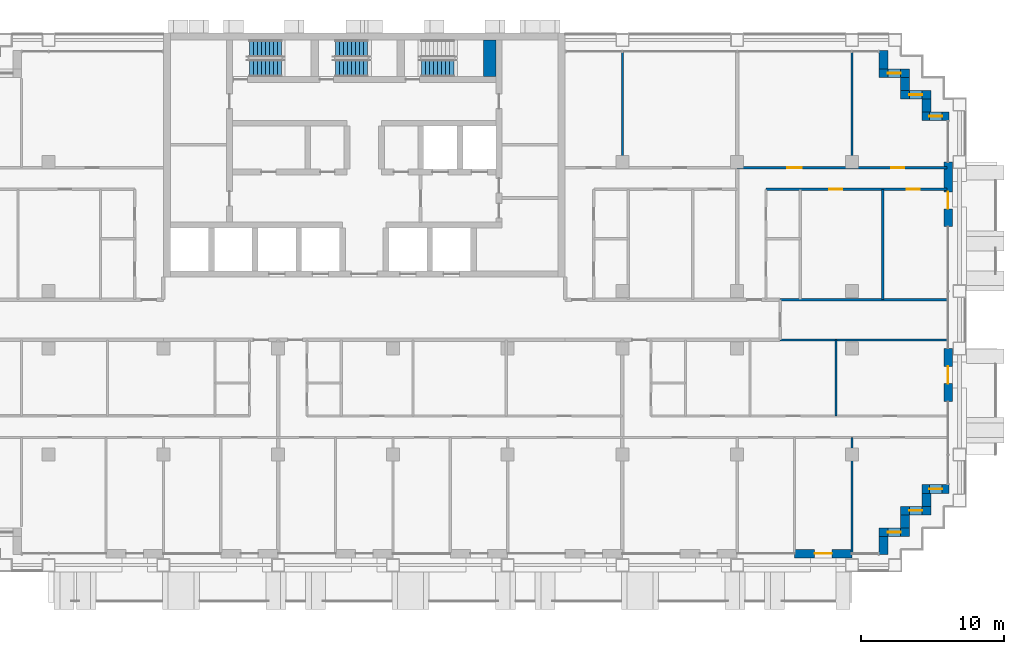
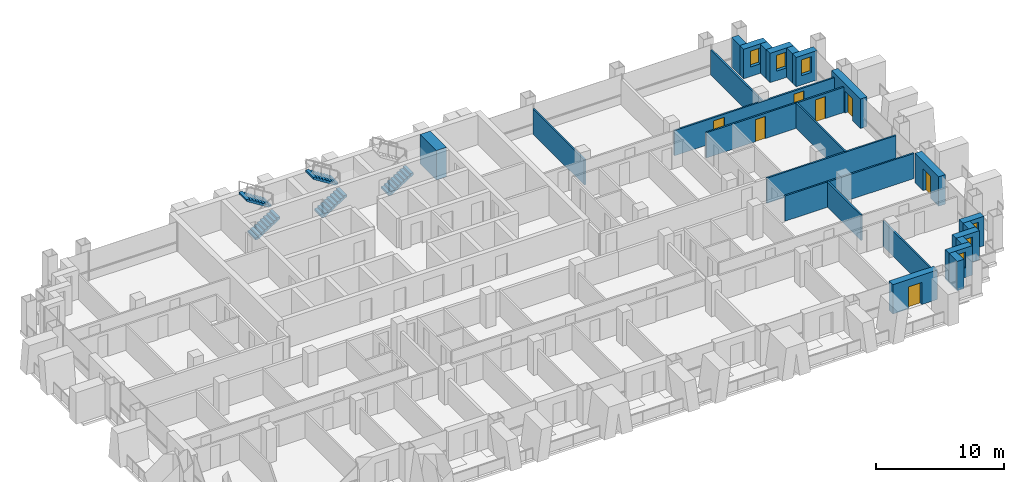
# One storey, part 13 of 18: 25 walls, 7 doors, 6 windows, 5 stair flights, 13 openings, 3 elements without a shape of their own.
"""IFC4 building model written with IfcOpenShell, lengths in metres."""

import ifcopenshell
import ifcopenshell.guid

model = None  # the IFC model being written
_history = None  # IfcOwnerHistory: only IFC2X3 demands one
_inside = {}  # id of a spatial element -> (the spatial element, [elements in it])
_under = {}  # id of a project, library or spatial element -> (it, [spatial elements below it])
_declared = {}  # id of a project -> (the project, [libraries it declares])
_typed = {}  # id of a type object -> (the type object, [elements of that type])
_made_of = {}  # id of a material, layer set ... -> (it, [elements and type objects made of it])


def new_model(schema):
    """Start an empty IFC model of exactly this schema.

    Asked for "IFC4X3", IfcOpenShell would pick the latest addendum, in which some entities
    have other attributes; the version numbers below select the first issue.
    IFC2X3 requires an IfcOwnerHistory on every rooted entity: one is made here for all.
    """
    global model, _history
    if schema == "IFC4X3":
        model = ifcopenshell.file(schema_version=(4, 3, 0, 0))
    else:
        model = ifcopenshell.file(schema=schema)
    _inside.clear()
    _under.clear()
    _declared.clear()
    _typed.clear()
    _made_of.clear()
    _history = None
    if model.schema == "IFC2X3":
        org = make("IfcOrganization", Name="unknown")
        user = make(
            "IfcPersonAndOrganization",
            ThePerson=make("IfcPerson", FamilyName="unknown"),
            TheOrganization=org,
        )
        app = make(
            "IfcApplication",
            ApplicationDeveloper=org,
            Version="unknown",
            ApplicationFullName="unknown",
            ApplicationIdentifier="unknown",
        )
        _history = make(
            "IfcOwnerHistory",
            OwningUser=user,
            OwningApplication=app,
            ChangeAction="ADDED",
            CreationDate=0,
        )
    return model


def make(cls, **values):
    """One entity of the class cls with the attributes given. An attribute that is None is left unset."""
    return model.create_entity(
        cls, **{name: value for name, value in values.items() if value is not None}
    )


def rooted(cls, **values):
    """An entity with a GlobalId (a new one), such as an element, a storey or a relation."""
    return make(cls, GlobalId=ifcopenshell.guid.new(), OwnerHistory=_history, **values)


def si_unit(unit_type, name, prefix=None):
    """IfcSIUnit, for example si_unit("LENGTHUNIT", "METRE", prefix="MILLI")."""
    return make("IfcSIUnit", UnitType=unit_type, Prefix=prefix, Name=name)


def assignment(units):
    """IfcUnitAssignment: the units of a project."""
    return None if units is None else make("IfcUnitAssignment", Units=units)


def point(xyz):
    """IfcCartesianPoint."""
    return None if xyz is None else make("IfcCartesianPoint", Coordinates=xyz)


def direction(xyz):
    """IfcDirection."""
    return None if xyz is None else make("IfcDirection", DirectionRatios=xyz)


def frame(location, z_axis=None, x_axis=None):
    """IfcAxis2Placement3D, a coordinate frame: its origin and axes. An axis left out is left unset."""
    return make(
        "IfcAxis2Placement3D",
        Location=point(location),
        Axis=direction(z_axis),
        RefDirection=direction(x_axis),
    )


def frame_2d(location, x_axis=None):
    """IfcAxis2Placement2D, a coordinate frame in the plane: its origin and x axis."""
    return make(
        "IfcAxis2Placement2D", Location=point(location), RefDirection=direction(x_axis)
    )


def origin():
    """The frame at (0, 0, 0) with its axes left unset."""
    return frame((0.0, 0.0, 0.0))


def place(relative_to, where):
    """IfcLocalPlacement: puts the frame where relative to a parent placement (None: the world)."""
    return make(
        "IfcLocalPlacement", PlacementRelTo=relative_to, RelativePlacement=where
    )


def context(
    kind, dimensions, precision=None, world=None, true_north=None, identifier=None
):
    """IfcGeometricRepresentationContext, for example the 3D "Model" context."""
    return make(
        "IfcGeometricRepresentationContext",
        ContextIdentifier=identifier,
        ContextType=kind,
        CoordinateSpaceDimension=dimensions,
        Precision=precision,
        WorldCoordinateSystem=world,
        TrueNorth=true_north,
    )


def subcontext(parent, identifier, kind, view, scale=None):
    """IfcGeometricRepresentationSubContext, for example "Body" below "Model"."""
    return make(
        "IfcGeometricRepresentationSubContext",
        ContextIdentifier=identifier,
        ContextType=kind,
        ParentContext=parent,
        TargetScale=scale,
        TargetView=view,
    )


def project(units=None, contexts=None):
    """IfcProject with its units and contexts."""
    return rooted(
        "IfcProject",
        Name="project",
        RepresentationContexts=contexts,
        UnitsInContext=assignment(units),
    )


def spatial(cls, under=None, at=None, **own):
    """A site, building, storey or space (cls), placed at a placement, below another one or the project."""
    s = rooted(cls, ObjectPlacement=at, **own)
    if under is not None:
        _under.setdefault(under.id(), (under, []))[1].append(s)
    return s


def polyline(points):
    """IfcPolyline through the points."""
    return make("IfcPolyline", Points=[point(p) for p in points])


def profile(cls, at=None, kind="AREA", **sizes):
    """A parametric profile (cls). Its sizes go by their IFC names, for example OverallWidth=200.0."""
    return make(cls, ProfileType=kind, Position=at, **sizes)


def rectangle(**sizes):
    """IfcRectangleProfileDef."""
    return profile("IfcRectangleProfileDef", **sizes)


def outline(outer, holes=None, kind="AREA"):
    """IfcArbitraryClosedProfileDef: a profile drawn as a closed curve; with holes, ...WithVoids."""
    if holes is None:
        return make("IfcArbitraryClosedProfileDef", ProfileType=kind, OuterCurve=outer)
    return make(
        "IfcArbitraryProfileDefWithVoids",
        ProfileType=kind,
        OuterCurve=outer,
        InnerCurves=holes,
    )


def extrude(swept, where, along, depth):
    """IfcExtrudedAreaSolid: the profile swept, set in the frame where, extruded along a direction by depth."""
    return make(
        "IfcExtrudedAreaSolid",
        SweptArea=swept,
        Position=where,
        ExtrudedDirection=direction(along),
        Depth=depth,
    )


def shape(context_of_items, identifier, shape_type, items):
    """IfcShapeRepresentation: the items that make up one representation, for example the "Body"."""
    return make(
        "IfcShapeRepresentation",
        ContextOfItems=context_of_items,
        RepresentationIdentifier=identifier,
        RepresentationType=shape_type,
        Items=items,
    )


def material(Name=None, Category=None):
    """IfcMaterial."""
    return make("IfcMaterial", Name=Name, Category=Category)


def layer(
    of_material, thickness, ventilated=None, Name=None, Category=None, Priority=None
):
    """IfcMaterialLayer: one layer of a wall or slab, of a material (None: an air gap)."""
    return make(
        "IfcMaterialLayer",
        Material=of_material,
        LayerThickness=thickness,
        IsVentilated=ventilated,
        Name=Name,
        Category=Category,
        Priority=Priority,
    )


def layer_set(layers, Name=None):
    """IfcMaterialLayerSet."""
    return make("IfcMaterialLayerSet", MaterialLayers=layers, LayerSetName=Name)


def made_of(thing, what):
    """Note that an element or type object is made of a material, layer set ...; save() writes the relation."""
    if what is not None:
        _made_of.setdefault(what.id(), (what, []))[1].append(thing)
    return thing


def type_object(cls, material=None, **own):
    """A type object (cls), such as IfcWallType, which elements share."""
    return made_of(rooted(cls, **own), material)


def element(
    cls,
    number,
    at=None,
    inside=None,
    cuts=None,
    type_object=None,
    material=None,
    context=None,
    identifier="Body",
    shape_type=None,
    held_by="IfcProductDefinitionShape",
    body=None,
    shapes=None,
    **own,
):
    """One element of the class cls, such as IfcWall. Its Tag is "e" and its number.

    at: its placement. inside: the storey or other place that contains it. cuts: it is an
    opening in that element (IfcRelVoidsElement). A single representation is given by context,
    identifier, shape_type and body (its items); several are given by shapes. held_by: the class
    of the entity that holds the representations. save() writes the other relations.
    """
    e = rooted(cls, Tag="e%d" % number, ObjectPlacement=at, **own)
    if body is not None:
        shapes = [shape(context, identifier, shape_type, body)]
    if shapes is not None:
        e.Representation = make(held_by, Representations=shapes)
    if inside is not None:
        _inside.setdefault(inside.id(), (inside, []))[1].append(e)
    if cuts is not None:
        rooted(
            "IfcRelVoidsElement", RelatingBuildingElement=cuts, RelatedOpeningElement=e
        )
    if type_object is not None:
        _typed.setdefault(type_object.id(), (type_object, []))[1].append(e)
    return made_of(e, material)


def fill(opening, filler):
    """IfcRelFillsElement: the door or window that sits in an opening."""
    return rooted(
        "IfcRelFillsElement",
        RelatingOpeningElement=opening,
        RelatedBuildingElement=filler,
    )


def aggregate(whole, parts):
    """IfcRelAggregates: a whole, such as a stair, and the parts it consists of."""
    return rooted("IfcRelAggregates", RelatingObject=whole, RelatedObjects=parts)


def save(model, path):
    """Write the relations noted so far, then the file.

    IfcRelAggregates (storeys below a building ...), IfcRelContainedInSpatialStructure (elements
    in a storey), IfcRelDefinesByType, IfcRelAssociatesMaterial and IfcRelDeclares: one each for
    every whole, place, type object, material and project.
    """
    for whole, parts in _under.values():
        aggregate(whole, parts)
    for where, things in _inside.values():
        rooted(
            "IfcRelContainedInSpatialStructure",
            RelatedElements=things,
            RelatingStructure=where,
        )
    for kind, things in _typed.values():
        rooted("IfcRelDefinesByType", RelatedObjects=things, RelatingType=kind)
    for what, things in _made_of.values():
        rooted("IfcRelAssociatesMaterial", RelatedObjects=things, RelatingMaterial=what)
    for by, libraries in _declared.values():
        rooted("IfcRelDeclares", RelatingContext=by, RelatedDefinitions=libraries)
    model.write(path)


model = new_model("IFC4")

# Units and contexts
model_context = context("Model", 3, precision=1e-05, world=origin(), true_north=direction((0.0, 1.0)))
body_context = subcontext(model_context, "Body", "Model", "MODEL_VIEW")
ifc_project = project(units=[si_unit("LENGTHUNIT", "METRE"), si_unit("AREAUNIT", "SQUARE_METRE"), si_unit("VOLUMEUNIT", "CUBIC_METRE"), si_unit("PLANEANGLEUNIT", "RADIAN"), si_unit("MASSUNIT", "GRAM", prefix="KILO")], contexts=[model_context])

# Site, building, storey
site_placement = place(None, origin())
site = spatial("IfcSite", under=ifc_project, at=site_placement, CompositionType="ELEMENT")
building_placement = place(site_placement, origin())
building = spatial("IfcBuilding", under=site, at=building_placement, Name="Vidyagriha Tower", CompositionType="ELEMENT")
storey_placement = place(building_placement, frame((0.0, 0.0, 103.10009765625)))
storey = spatial("IfcBuildingStorey", under=building, at=storey_placement, Name="L27", CompositionType="ELEMENT", Elevation=103.10009765625)

# Wall, opening, window
ifc_material_1 = material(Name="Precast concrete C40/50 with brick facing", Category="concrete")
ifc_layer_1 = layer(ifc_material_1, 0.60009765625)
ifc_layer_set_1 = layer_set([ifc_layer_1], Name="Precast concrete C40/50 with brick facing")
wall_type_1 = type_object("IfcWallType", Name="Brick-faced precast wall 600", PredefinedType="STANDARD", material=ifc_layer_set_1)
wall_1_placement = place(storey_placement, frame((40.780029296875, 14.199951171875, 0.0), z_axis=(0.0, 0.0, 1.0), x_axis=(-1.0, 0.0, 0.0)))
wall_1 = element("IfcWall", 1, at=wall_1_placement, inside=storey, type_object=wall_type_1, Name="Stepped corner wall L27 R01", PredefinedType="STANDARD", context=body_context, shape_type="SweptSolid", body=[
    extrude(rectangle(XDim=1.880126953125, YDim=0.60009765625, at=frame_2d((0.93994140625, 0.0))), origin(), (0.0, 0.0, 1.0), 2.7998046875),
])
opening_1_placement = place(wall_1_placement, frame((0.489990234375, 0.0, 0.89990234375)))
opening_1 = element("IfcOpeningElement", 2, at=opening_1_placement, cuts=wall_1, Name="Opening WN1", PredefinedType="OPENING", context=body_context, shape_type="SweptSolid", body=[
    extrude(rectangle(XDim=0.89990234375, YDim=1.5, at=frame_2d((0.449951171875, 0.75))), frame((0.0, 0.31005859375, 0.0), z_axis=(0.0, -1.0, 0.0), x_axis=(1.0, 0.0, 0.0)), (0.0, 0.0, 1.0), 0.6201171875),
])
ifc_material_2 = material(Name="Aluminium and glass window", Category="aluminium")
window_type = type_object("IfcWindowType", Name="Reveal window 900x1500", PartitioningType="NOTDEFINED", PredefinedType="WINDOW", material=ifc_material_2)
window_1_placement = place(opening_1_placement, origin())
window_1 = element("IfcWindow", 3, at=window_1_placement, inside=storey, type_object=window_type, Name="Reveal window L27 R01", OverallHeight=1.5, OverallWidth=0.89990234375, PartitioningType="SINGLE_PANEL", PredefinedType="WINDOW", context=body_context, shape_type="SweptSolid", body=[
    extrude(rectangle(XDim=0.89990234375, YDim=1.5, at=frame_2d((0.449951171875, 0.75))), frame((0.0, 0.030029296875, 0.0), z_axis=(0.0, -1.0, 0.0), x_axis=(1.0, 0.0, 0.0)), (0.0, 0.0, 1.0), 0.06005859375),
])
fill(opening_1, window_1)

# Wall
wall_2_placement = place(storey_placement, frame((39.199951171875, 14.5, 0.0), z_axis=(0.0, 0.0, 1.0), x_axis=(0.0, 1.0, 0.0)))
element("IfcWall", 4, at=wall_2_placement, inside=storey, type_object=wall_type_1, Name="Stepped corner wall L27 R02", PredefinedType="STANDARD", context=body_context, shape_type="SweptSolid", body=[
    extrude(rectangle(XDim=0.89990234375, YDim=0.60009765625, at=frame_2d((0.449951171875, 0.0))), origin(), (0.0, 0.0, 1.0), 2.7998046875),
])

# Wall, opening, window
wall_3_placement = place(storey_placement, frame((39.5, 15.699951171875, 0.0), z_axis=(0.0, 0.0, 1.0), x_axis=(-1.0, 0.0, 0.0)))
wall_3 = element("IfcWall", 5, at=wall_3_placement, inside=storey, type_object=wall_type_1, Name="Stepped corner wall L27 R03", PredefinedType="STANDARD", context=body_context, shape_type="SweptSolid", body=[
    extrude(rectangle(XDim=2.10009765625, YDim=0.60009765625, at=frame_2d((1.050048828125, 0.0))), origin(), (0.0, 0.0, 1.0), 2.7998046875),
])
opening_2_placement = place(wall_3_placement, frame((0.60009765625, 0.0, 0.89990234375)))
opening_2 = element("IfcOpeningElement", 6, at=opening_2_placement, cuts=wall_3, Name="Opening WN1", PredefinedType="OPENING", context=body_context, shape_type="SweptSolid", body=[
    extrude(rectangle(XDim=0.89990234375, YDim=1.5, at=frame_2d((0.449951171875, 0.75))), frame((0.0, 0.31005859375, 0.0), z_axis=(0.0, -1.0, 0.0), x_axis=(1.0, 0.0, 0.0)), (0.0, 0.0, 1.0), 0.6201171875),
])
window_2_placement = place(opening_2_placement, origin())
window_2 = element("IfcWindow", 7, at=window_2_placement, inside=storey, type_object=window_type, Name="Reveal window L27 R03", OverallHeight=1.5, OverallWidth=0.89990234375, PartitioningType="SINGLE_PANEL", PredefinedType="WINDOW", context=body_context, shape_type="SweptSolid", body=[
    extrude(rectangle(XDim=0.89990234375, YDim=1.5, at=frame_2d((0.449951171875, 0.75))), frame((0.0, 0.030029296875, 0.0), z_axis=(0.0, -1.0, 0.0), x_axis=(1.0, 0.0, 0.0)), (0.0, 0.0, 1.0), 0.06005859375),
])
fill(opening_2, window_2)

# Wall
wall_4_placement = place(storey_placement, frame((37.699951171875, 16.0, 0.0), z_axis=(0.0, 0.0, 1.0), x_axis=(0.0, 1.0, 0.0)))
element("IfcWall", 8, at=wall_4_placement, inside=storey, type_object=wall_type_1, Name="Stepped corner wall L27 R04", PredefinedType="STANDARD", context=body_context, shape_type="SweptSolid", body=[
    extrude(rectangle(XDim=0.89990234375, YDim=0.60009765625, at=frame_2d((0.449951171875, 0.0))), origin(), (0.0, 0.0, 1.0), 2.7998046875),
])

# Wall, opening, window
wall_5_placement = place(storey_placement, frame((38.0, 17.199951171875, 0.0), z_axis=(0.0, 0.0, 1.0), x_axis=(-1.0, 0.0, 0.0)))
wall_5 = element("IfcWall", 9, at=wall_5_placement, inside=storey, type_object=wall_type_1, Name="Stepped corner wall L27 R05", PredefinedType="STANDARD", context=body_context, shape_type="SweptSolid", body=[
    extrude(rectangle(XDim=2.10009765625, YDim=0.60009765625, at=frame_2d((1.050048828125, 0.0))), origin(), (0.0, 0.0, 1.0), 2.7998046875),
])
opening_3_placement = place(wall_5_placement, frame((0.60009765625, 0.0, 0.89990234375)))
opening_3 = element("IfcOpeningElement", 10, at=opening_3_placement, cuts=wall_5, Name="Opening WN1", PredefinedType="OPENING", context=body_context, shape_type="SweptSolid", body=[
    extrude(rectangle(XDim=0.89990234375, YDim=1.5, at=frame_2d((0.449951171875, 0.75))), frame((0.0, 0.31005859375, 0.0), z_axis=(0.0, -1.0, 0.0), x_axis=(1.0, 0.0, 0.0)), (0.0, 0.0, 1.0), 0.6201171875),
])
window_3_placement = place(opening_3_placement, origin())
window_3 = element("IfcWindow", 11, at=window_3_placement, inside=storey, type_object=window_type, Name="Reveal window L27 R05", OverallHeight=1.5, OverallWidth=0.89990234375, PartitioningType="SINGLE_PANEL", PredefinedType="WINDOW", context=body_context, shape_type="SweptSolid", body=[
    extrude(rectangle(XDim=0.89990234375, YDim=1.5, at=frame_2d((0.449951171875, 0.75))), frame((0.0, 0.030029296875, 0.0), z_axis=(0.0, -1.0, 0.0), x_axis=(1.0, 0.0, 0.0)), (0.0, 0.0, 1.0), 0.06005859375),
])
fill(opening_3, window_3)

# Wall
wall_6_placement = place(storey_placement, frame((36.199951171875, 17.5, 0.0), z_axis=(0.0, 0.0, 1.0), x_axis=(0.0, 1.0, 0.0)))
element("IfcWall", 12, at=wall_6_placement, inside=storey, type_object=wall_type_1, Name="Stepped corner wall L27 R06", PredefinedType="STANDARD", context=body_context, shape_type="SweptSolid", body=[
    extrude(rectangle(XDim=1.280029296875, YDim=0.60009765625, at=frame_2d((0.64013671875, 0.0))), origin(), (0.0, 0.0, 1.0), 2.7998046875),
])

# Wall, opening, door
wall_7_placement = place(storey_placement, frame((30.0, -16.300048828125, 0.0)))
wall_7 = element("IfcWall", 13, at=wall_7_placement, inside=storey, type_object=wall_type_1, Name="Brick door bay wall L27 R23.15", PredefinedType="STANDARD", context=body_context, shape_type="SweptSolid", body=[
    extrude(rectangle(XDim=4.0, YDim=0.60009765625, at=frame_2d((2.0, 0.0))), origin(), (0.0, 0.0, 1.0), 2.7998046875),
])
opening_4_placement = place(wall_7_placement, frame((1.39990234375, 0.0, 0.0)))
opening_4 = element("IfcOpeningElement", 14, at=opening_4_placement, cuts=wall_7, Name="Opening D27-76", PredefinedType="OPENING", context=body_context, shape_type="SweptSolid", body=[
    extrude(rectangle(XDim=1.199951171875, YDim=2.10009765625, at=frame_2d((0.60009765625, 1.050048828125))), frame((0.0, 0.31005859375, 0.0), z_axis=(0.0, -1.0, 0.0), x_axis=(1.0, 0.0, 0.0)), (0.0, 0.0, 1.0), 0.6201171875),
])
ifc_material_3 = material(Name="Aluminium framed glazed sliding door", Category="aluminium")
door_type_1 = type_object("IfcDoorType", Name="Balcony sliding door 1200x2100", OperationType="NOTDEFINED", PredefinedType="DOOR", material=ifc_material_3)
door_1_placement = place(opening_4_placement, origin())
door_1 = element("IfcDoor", 15, at=door_1_placement, inside=storey, type_object=door_type_1, Name="Door D27-76", OperationType="SLIDING_TO_LEFT", OverallHeight=2.10009765625, OverallWidth=1.199951171875, PredefinedType="DOOR", context=body_context, shape_type="SweptSolid", body=[
    extrude(rectangle(XDim=1.199951171875, YDim=2.10009765625, at=frame_2d((0.60009765625, 1.050048828125))), frame((0.0, 0.02490234375, 0.0), z_axis=(0.0, -1.0, 0.0), x_axis=(1.0, 0.0, 0.0)), (0.0, 0.0, 1.0), 0.050048828125),
])
fill(opening_4, door_1)

# Wall
wall_8_placement = place(storey_placement, frame((36.199951171875, -16.3798828125, 0.0), z_axis=(0.0, 0.0, 1.0), x_axis=(0.0, 1.0, 0.0)))
element("IfcWall", 16, at=wall_8_placement, inside=storey, type_object=wall_type_1, Name="Stepped corner wall L27 R24", PredefinedType="STANDARD", context=body_context, shape_type="SweptSolid", body=[
    extrude(rectangle(XDim=1.27978515625, YDim=0.60009765625, at=frame_2d((0.639892578125, 0.0))), origin(), (0.0, 0.0, 1.0), 2.7998046875),
])

# Wall, opening, window
wall_9_placement = place(storey_placement, frame((35.89990234375, -14.800048828125, 0.0)))
wall_9 = element("IfcWall", 17, at=wall_9_placement, inside=storey, type_object=wall_type_1, Name="Stepped corner wall L27 R25", PredefinedType="STANDARD", context=body_context, shape_type="SweptSolid", body=[
    extrude(rectangle(XDim=2.10009765625, YDim=0.60009765625, at=frame_2d((1.050048828125, 0.0))), origin(), (0.0, 0.0, 1.0), 2.7998046875),
])
opening_5_placement = place(wall_9_placement, frame((0.60009765625, 0.0, 0.89990234375)))
opening_5 = element("IfcOpeningElement", 18, at=opening_5_placement, cuts=wall_9, Name="Opening WN1", PredefinedType="OPENING", context=body_context, shape_type="SweptSolid", body=[
    extrude(rectangle(XDim=0.89990234375, YDim=1.5, at=frame_2d((0.449951171875, 0.75))), frame((0.0, 0.31005859375, 0.0), z_axis=(0.0, -1.0, 0.0), x_axis=(1.0, 0.0, 0.0)), (0.0, 0.0, 1.0), 0.6201171875),
])
window_4_placement = place(opening_5_placement, origin())
window_4 = element("IfcWindow", 19, at=window_4_placement, inside=storey, type_object=window_type, Name="Reveal window L27 R25", OverallHeight=1.5, OverallWidth=0.89990234375, PartitioningType="SINGLE_PANEL", PredefinedType="WINDOW", context=body_context, shape_type="SweptSolid", body=[
    extrude(rectangle(XDim=0.89990234375, YDim=1.5, at=frame_2d((0.449951171875, 0.75))), frame((0.0, 0.030029296875, 0.0), z_axis=(0.0, -1.0, 0.0), x_axis=(1.0, 0.0, 0.0)), (0.0, 0.0, 1.0), 0.06005859375),
])
fill(opening_5, window_4)

# Wall
wall_10_placement = place(storey_placement, frame((37.699951171875, -14.5, 0.0), z_axis=(0.0, 0.0, 1.0), x_axis=(0.0, 1.0, 0.0)))
element("IfcWall", 20, at=wall_10_placement, inside=storey, type_object=wall_type_1, Name="Stepped corner wall L27 R26", PredefinedType="STANDARD", context=body_context, shape_type="SweptSolid", body=[
    extrude(rectangle(XDim=0.89990234375, YDim=0.60009765625, at=frame_2d((0.449951171875, 0.0))), origin(), (0.0, 0.0, 1.0), 2.7998046875),
])

# Wall, opening, window
wall_11_placement = place(storey_placement, frame((37.39990234375, -13.300048828125, 0.0)))
wall_11 = element("IfcWall", 21, at=wall_11_placement, inside=storey, type_object=wall_type_1, Name="Stepped corner wall L27 R27", PredefinedType="STANDARD", context=body_context, shape_type="SweptSolid", body=[
    extrude(rectangle(XDim=2.10009765625, YDim=0.60009765625, at=frame_2d((1.050048828125, 0.0))), origin(), (0.0, 0.0, 1.0), 2.7998046875),
])
opening_6_placement = place(wall_11_placement, frame((0.60009765625, 0.0, 0.89990234375)))
opening_6 = element("IfcOpeningElement", 22, at=opening_6_placement, cuts=wall_11, Name="Opening WN1", PredefinedType="OPENING", context=body_context, shape_type="SweptSolid", body=[
    extrude(rectangle(XDim=0.89990234375, YDim=1.5, at=frame_2d((0.449951171875, 0.75))), frame((0.0, 0.31005859375, 0.0), z_axis=(0.0, -1.0, 0.0), x_axis=(1.0, 0.0, 0.0)), (0.0, 0.0, 1.0), 0.6201171875),
])
window_5_placement = place(opening_6_placement, origin())
window_5 = element("IfcWindow", 23, at=window_5_placement, inside=storey, type_object=window_type, Name="Reveal window L27 R27", OverallHeight=1.5, OverallWidth=0.89990234375, PartitioningType="SINGLE_PANEL", PredefinedType="WINDOW", context=body_context, shape_type="SweptSolid", body=[
    extrude(rectangle(XDim=0.89990234375, YDim=1.5, at=frame_2d((0.449951171875, 0.75))), frame((0.0, 0.030029296875, 0.0), z_axis=(0.0, -1.0, 0.0), x_axis=(1.0, 0.0, 0.0)), (0.0, 0.0, 1.0), 0.06005859375),
])
fill(opening_6, window_5)

# Wall
wall_12_placement = place(storey_placement, frame((39.199951171875, -13.0, 0.0), z_axis=(0.0, 0.0, 1.0), x_axis=(0.0, 1.0, 0.0)))
element("IfcWall", 24, at=wall_12_placement, inside=storey, type_object=wall_type_1, Name="Stepped corner wall L27 R28", PredefinedType="STANDARD", context=body_context, shape_type="SweptSolid", body=[
    extrude(rectangle(XDim=0.89990234375, YDim=0.60009765625, at=frame_2d((0.449951171875, 0.0))), origin(), (0.0, 0.0, 1.0), 2.7998046875),
])

# Wall, opening, window
wall_13_placement = place(storey_placement, frame((38.89990234375, -11.800048828125, 0.0)))
wall_13 = element("IfcWall", 25, at=wall_13_placement, inside=storey, type_object=wall_type_1, Name="Stepped corner wall L27 R29", PredefinedType="STANDARD", context=body_context, shape_type="SweptSolid", body=[
    extrude(rectangle(XDim=1.880126953125, YDim=0.60009765625, at=frame_2d((0.93994140625, 0.0))), origin(), (0.0, 0.0, 1.0), 2.7998046875),
])
opening_7_placement = place(wall_13_placement, frame((0.489990234375, 0.0, 0.89990234375)))
opening_7 = element("IfcOpeningElement", 26, at=opening_7_placement, cuts=wall_13, Name="Opening WN1", PredefinedType="OPENING", context=body_context, shape_type="SweptSolid", body=[
    extrude(rectangle(XDim=0.89990234375, YDim=1.5, at=frame_2d((0.449951171875, 0.75))), frame((0.0, 0.31005859375, 0.0), z_axis=(0.0, -1.0, 0.0), x_axis=(1.0, 0.0, 0.0)), (0.0, 0.0, 1.0), 0.6201171875),
])
window_6_placement = place(opening_7_placement, origin())
window_6 = element("IfcWindow", 27, at=window_6_placement, inside=storey, type_object=window_type, Name="Reveal window L27 R29", OverallHeight=1.5, OverallWidth=0.89990234375, PartitioningType="SINGLE_PANEL", PredefinedType="WINDOW", context=body_context, shape_type="SweptSolid", body=[
    extrude(rectangle(XDim=0.89990234375, YDim=1.5, at=frame_2d((0.449951171875, 0.75))), frame((0.0, 0.030029296875, 0.0), z_axis=(0.0, -1.0, 0.0), x_axis=(1.0, 0.0, 0.0)), (0.0, 0.0, 1.0), 0.06005859375),
])
fill(opening_7, window_6)

# Wall, opening, door
wall_14_placement = place(storey_placement, frame((40.699951171875, -5.699951171875, 0.0), z_axis=(0.0, 0.0, 1.0), x_axis=(0.0, 1.0, 0.0)))
wall_14 = element("IfcWall", 28, at=wall_14_placement, inside=storey, type_object=wall_type_1, Name="Brick door bay wall L27 R30.3", PredefinedType="STANDARD", context=body_context, shape_type="SweptSolid", body=[
    extrude(rectangle(XDim=3.699951171875, YDim=0.60009765625, at=frame_2d((1.85009765625, 0.0))), origin(), (0.0, 0.0, 1.0), 2.7998046875),
])
opening_8_placement = place(wall_14_placement, frame((1.25, 0.0, 0.0)))
opening_8 = element("IfcOpeningElement", 29, at=opening_8_placement, cuts=wall_14, Name="Opening D27-77", PredefinedType="OPENING", context=body_context, shape_type="SweptSolid", body=[
    extrude(rectangle(XDim=1.199951171875, YDim=2.10009765625, at=frame_2d((0.60009765625, 1.050048828125))), frame((0.0, 0.31005859375, 0.0), z_axis=(0.0, -1.0, 0.0), x_axis=(1.0, 0.0, 0.0)), (0.0, 0.0, 1.0), 0.6201171875),
])
door_2_placement = place(opening_8_placement, origin())
door_2 = element("IfcDoor", 30, at=door_2_placement, inside=storey, type_object=door_type_1, Name="Door D27-77", OperationType="SLIDING_TO_LEFT", OverallHeight=2.10009765625, OverallWidth=1.199951171875, PredefinedType="DOOR", context=body_context, shape_type="SweptSolid", body=[
    extrude(rectangle(XDim=1.199951171875, YDim=2.10009765625, at=frame_2d((0.60009765625, 1.050048828125))), frame((0.0, 0.02490234375, 0.0), z_axis=(0.0, -1.0, 0.0), x_axis=(1.0, 0.0, 0.0)), (0.0, 0.0, 1.0), 0.050048828125),
])
fill(opening_8, door_2)

wall_15_placement = place(storey_placement, frame((40.699951171875, 6.5, 0.0), z_axis=(0.0, 0.0, 1.0), x_axis=(0.0, 1.0, 0.0)))
wall_15 = element("IfcWall", 31, at=wall_15_placement, inside=storey, type_object=wall_type_1, Name="Brick door bay wall L27 R30.6", PredefinedType="STANDARD", context=body_context, shape_type="SweptSolid", body=[
    extrude(rectangle(XDim=4.5, YDim=0.60009765625, at=frame_2d((2.25, 0.0))), origin(), (0.0, 0.0, 1.0), 2.7998046875),
])
opening_9_placement = place(wall_15_placement, frame((1.22509765625, 0.0, 0.0)))
opening_9 = element("IfcOpeningElement", 32, at=opening_9_placement, cuts=wall_15, Name="Opening D27-78", PredefinedType="OPENING", context=body_context, shape_type="SweptSolid", body=[
    extrude(rectangle(XDim=1.199951171875, YDim=2.10009765625, at=frame_2d((0.60009765625, 1.050048828125))), frame((0.0, 0.31005859375, 0.0), z_axis=(0.0, -1.0, 0.0), x_axis=(1.0, 0.0, 0.0)), (0.0, 0.0, 1.0), 0.6201171875),
])
door_3_placement = place(opening_9_placement, origin())
door_3 = element("IfcDoor", 33, at=door_3_placement, inside=storey, type_object=door_type_1, Name="Door D27-78", OperationType="SLIDING_TO_LEFT", OverallHeight=2.10009765625, OverallWidth=1.199951171875, PredefinedType="DOOR", context=body_context, shape_type="SweptSolid", body=[
    extrude(rectangle(XDim=1.199951171875, YDim=2.10009765625, at=frame_2d((0.60009765625, 1.050048828125))), frame((0.0, 0.02490234375, 0.0), z_axis=(0.0, -1.0, 0.0), x_axis=(1.0, 0.0, 0.0)), (0.0, 0.0, 1.0), 0.050048828125),
])
fill(opening_9, door_3)

# Walls
ifc_material_4 = material(Name="Concrete C60/75", Category="concrete")
ifc_layer_2 = layer(ifc_material_4, 0.89990234375)
ifc_layer_set_2 = layer_set([ifc_layer_2], Name="Concrete C60/75")
wall_type_2 = type_object("IfcWallType", Name="Core shear wall 900 mm", PredefinedType="SHEAR", material=ifc_layer_set_2)
wall_16_placement = place(storey_placement, frame((8.75, 16.949951171875, 0.0), z_axis=(0.0, 0.0, 1.0), x_axis=(0.0, 1.0, 0.0)))
element("IfcWall", 34, at=wall_16_placement, inside=storey, type_object=wall_type_2, Name="Stair end wall", PredefinedType="SHEAR", context=body_context, shape_type="SweptSolid", body=[
    extrude(rectangle(XDim=2.550048828125, YDim=0.89990234375, at=frame_2d((1.27490234375, 0.0))), origin(), (0.0, 0.0, 1.0), 2.7998046875),
])
ifc_material_5 = material(Name="Gypsum board partition")
ifc_layer_3 = layer(ifc_material_5, 0.14990234375)
ifc_layer_set_3 = layer_set([ifc_layer_3], Name="Gypsum board partition")
wall_type_3 = type_object("IfcWallType", Name="Gypsum board partition 150", PredefinedType="PARTITIONING", material=ifc_layer_set_3)
wall_17_placement = place(storey_placement, frame((32.89990234375, -1.39990234375, 0.0), z_axis=(0.0, 0.0, 1.0), x_axis=(0.0, -1.0, 0.0)))
element("IfcWall", 35, at=wall_17_placement, inside=storey, type_object=wall_type_3, Name="Wall all-L27-w052", PredefinedType="PARTITIONING", context=body_context, shape_type="SweptSolid", body=[
    extrude(rectangle(XDim=5.300048828125, YDim=0.14990234375, at=frame_2d((2.64990234375, 0.0))), origin(), (0.0, 0.0, 1.0), 2.39990234375),
])
wall_18_placement = place(storey_placement, frame((34.0, -8.199951171875, 0.0), z_axis=(0.0, 0.0, 1.0), x_axis=(0.0, -1.0, 0.0)))
element("IfcWall", 36, at=wall_18_placement, inside=storey, type_object=wall_type_3, Name="Wall all-L27-w064", PredefinedType="PARTITIONING", context=body_context, shape_type="SweptSolid", body=[
    extrude(rectangle(XDim=8.010009765625, YDim=0.14990234375, at=frame_2d((4.0048828125, 0.0))), origin(), (0.0, 0.0, 1.0), 2.39990234375),
])
wall_19_placement = place(storey_placement, frame((40.6201171875, -1.39990234375, 0.0), z_axis=(0.0, 0.0, 1.0), x_axis=(-1.0, 0.0, 0.0)))
element("IfcWall", 37, at=wall_19_placement, inside=storey, type_object=wall_type_3, Name="Wall all-L27-w069", PredefinedType="PARTITIONING", context=body_context, shape_type="SweptSolid", body=[
    extrude(rectangle(XDim=11.6201171875, YDim=0.14990234375, at=frame_2d((5.81005859375, 0.0))), origin(), (0.0, 0.0, 1.0), 2.39990234375),
])
wall_20_placement = place(storey_placement, frame((18.0, 18.62109375, 0.0), z_axis=(0.0, 0.0, 1.0), x_axis=(0.0, -1.0, 0.0)))
element("IfcWall", 38, at=wall_20_placement, inside=storey, type_object=wall_type_3, Name="Wall all-L27-w097", PredefinedType="PARTITIONING", context=body_context, shape_type="SweptSolid", body=[
    extrude(rectangle(XDim=8.02099609375, YDim=0.14990234375, at=frame_2d((4.010498046875, 0.0))), origin(), (0.0, 0.0, 1.0), 2.39990234375),
])
wall_21_placement = place(storey_placement, frame((36.14990234375, 9.10009765625, 0.0), z_axis=(0.0, 0.0, 1.0), x_axis=(0.0, -1.0, 0.0)))
element("IfcWall", 39, at=wall_21_placement, inside=storey, type_object=wall_type_3, Name="Wall all-L27-w104", PredefinedType="PARTITIONING", context=body_context, shape_type="SweptSolid", body=[
    extrude(rectangle(XDim=7.7001953125, YDim=0.14990234375, at=frame_2d((3.85009765625, 0.0))), origin(), (0.0, 0.0, 1.0), 2.39990234375),
])

# Wall, openings, doors
wall_22_placement = place(storey_placement, frame((40.610107421875, 9.10009765625, 0.0), z_axis=(0.0, 0.0, 1.0), x_axis=(-1.0, 0.0, 0.0)))
wall_22 = element("IfcWall", 40, at=wall_22_placement, inside=storey, type_object=wall_type_3, Name="Wall all-L27-w105", PredefinedType="PARTITIONING", context=body_context, shape_type="SweptSolid", body=[
    extrude(rectangle(XDim=12.610107421875, YDim=0.14990234375, at=frame_2d((6.30517578125, 0.0))), origin(), (0.0, 0.0, 1.0), 2.39990234375),
])
opening_10_placement = place(wall_22_placement, frame((7.299072265625, 0.0, 0.0)))
opening_10 = element("IfcOpeningElement", 41, at=opening_10_placement, cuts=wall_22, Name="Opening D27-62", PredefinedType="OPENING", context=body_context, shape_type="SweptSolid", body=[
    extrude(rectangle(XDim=0.89990234375, YDim=2.10009765625, at=frame_2d((0.449951171875, 1.050048828125))), frame((0.0, 0.0849609375, 0.0), z_axis=(0.0, -1.0, 0.0), x_axis=(1.0, 0.0, 0.0)), (0.0, 0.0, 1.0), 0.169921875),
])
opening_11_placement = place(wall_22_placement, frame((1.885009765625, 0.0, 0.0)))
opening_11 = element("IfcOpeningElement", 42, at=opening_11_placement, cuts=wall_22, Name="Opening D27-63", PredefinedType="OPENING", context=body_context, shape_type="SweptSolid", body=[
    extrude(rectangle(XDim=0.89990234375, YDim=2.10009765625, at=frame_2d((0.449951171875, 1.050048828125))), frame((0.0, 0.0849609375, 0.0), z_axis=(0.0, -1.0, 0.0), x_axis=(1.0, 0.0, 0.0)), (0.0, 0.0, 1.0), 0.169921875),
])
ifc_material_6 = material(Name="Timber door leaf", Category="wood")
door_type_2 = type_object("IfcDoorType", Name="Room door 900x2100", OperationType="NOTDEFINED", PredefinedType="DOOR", material=ifc_material_6)
door_4_placement = place(opening_10_placement, origin())
door_4 = element("IfcDoor", 43, at=door_4_placement, inside=storey, type_object=door_type_2, Name="Door D27-62", OperationType="SINGLE_SWING_RIGHT", OverallHeight=2.10009765625, OverallWidth=0.89990234375, PredefinedType="DOOR", context=body_context, shape_type="SweptSolid", body=[
    extrude(rectangle(XDim=0.89990234375, YDim=2.10009765625, at=frame_2d((0.449951171875, 1.050048828125))), frame((0.0, 0.02490234375, 0.0), z_axis=(0.0, -1.0, 0.0), x_axis=(1.0, 0.0, 0.0)), (0.0, 0.0, 1.0), 0.050048828125),
])
fill(opening_10, door_4)
door_5_placement = place(opening_11_placement, origin())
door_5 = element("IfcDoor", 44, at=door_5_placement, inside=storey, type_object=door_type_2, Name="Door D27-63", OperationType="SINGLE_SWING_RIGHT", OverallHeight=2.10009765625, OverallWidth=0.89990234375, PredefinedType="DOOR", context=body_context, shape_type="SweptSolid", body=[
    extrude(rectangle(XDim=0.89990234375, YDim=2.10009765625, at=frame_2d((0.449951171875, 1.050048828125))), frame((0.0, 0.02490234375, 0.0), z_axis=(0.0, -1.0, 0.0), x_axis=(1.0, 0.0, 0.0)), (0.0, 0.0, 1.0), 0.050048828125),
])
fill(opening_11, door_5)

wall_23_placement = place(storey_placement, frame((26.0, 10.60009765625, 0.0)))
wall_23 = element("IfcWall", 45, at=wall_23_placement, inside=storey, type_object=wall_type_3, Name="Wall all-L27-w108", PredefinedType="PARTITIONING", context=body_context, shape_type="SweptSolid", body=[
    extrude(rectangle(XDim=14.610107421875, YDim=0.14990234375, at=frame_2d((7.30517578125, 0.0))), origin(), (0.0, 0.0, 1.0), 2.39990234375),
])
opening_12_placement = place(wall_23_placement, frame((3.5, 0.0, 0.0)))
opening_12 = element("IfcOpeningElement", 46, at=opening_12_placement, cuts=wall_23, Name="Opening D27-64", PredefinedType="OPENING", context=body_context, shape_type="SweptSolid", body=[
    extrude(rectangle(XDim=1.0, YDim=2.10009765625, at=frame_2d((0.5, 1.050048828125))), frame((0.0, 0.0849609375, 0.0), z_axis=(0.0, -1.0, 0.0), x_axis=(1.0, 0.0, 0.0)), (0.0, 0.0, 1.0), 0.169921875),
])
opening_13_placement = place(wall_23_placement, frame((10.75, 0.0, 0.0)))
opening_13 = element("IfcOpeningElement", 47, at=opening_13_placement, cuts=wall_23, Name="Opening D27-65", PredefinedType="OPENING", context=body_context, shape_type="SweptSolid", body=[
    extrude(rectangle(XDim=0.89990234375, YDim=2.10009765625, at=frame_2d((0.449951171875, 1.050048828125))), frame((0.0, 0.0849609375, 0.0), z_axis=(0.0, -1.0, 0.0), x_axis=(1.0, 0.0, 0.0)), (0.0, 0.0, 1.0), 0.169921875),
])
ifc_material_7 = material(Name="Timber door leaf", Category="wood")
door_type_3 = type_object("IfcDoorType", Name="Room door 1000x2100", OperationType="NOTDEFINED", PredefinedType="DOOR", material=ifc_material_7)
door_6_placement = place(opening_12_placement, origin())
door_6 = element("IfcDoor", 48, at=door_6_placement, inside=storey, type_object=door_type_3, Name="Door D27-64", OperationType="SINGLE_SWING_RIGHT", OverallHeight=2.10009765625, OverallWidth=1.0, PredefinedType="DOOR", context=body_context, shape_type="SweptSolid", body=[
    extrude(rectangle(XDim=1.0, YDim=2.10009765625, at=frame_2d((0.5, 1.050048828125))), frame((0.0, 0.02490234375, 0.0), z_axis=(0.0, -1.0, 0.0), x_axis=(1.0, 0.0, 0.0)), (0.0, 0.0, 1.0), 0.050048828125),
])
fill(opening_12, door_6)
door_7_placement = place(opening_13_placement, origin())
door_7 = element("IfcDoor", 49, at=door_7_placement, inside=storey, type_object=door_type_2, Name="Door D27-65", OperationType="SINGLE_SWING_RIGHT", OverallHeight=2.10009765625, OverallWidth=0.89990234375, PredefinedType="DOOR", context=body_context, shape_type="SweptSolid", body=[
    extrude(rectangle(XDim=0.89990234375, YDim=2.10009765625, at=frame_2d((0.449951171875, 1.050048828125))), frame((0.0, 0.02490234375, 0.0), z_axis=(0.0, -1.0, 0.0), x_axis=(1.0, 0.0, 0.0)), (0.0, 0.0, 1.0), 0.050048828125),
])
fill(opening_13, door_7)

# Walls
wall_24_placement = place(storey_placement, frame((34.0, 18.62109375, 0.0), z_axis=(0.0, 0.0, 1.0), x_axis=(0.0, -1.0, 0.0)))
element("IfcWall", 50, at=wall_24_placement, inside=storey, type_object=wall_type_3, Name="Wall all-L27-w111", PredefinedType="PARTITIONING", context=body_context, shape_type="SweptSolid", body=[
    extrude(rectangle(XDim=8.02099609375, YDim=0.14990234375, at=frame_2d((4.010498046875, 0.0))), origin(), (0.0, 0.0, 1.0), 2.39990234375),
])
wall_25_placement = place(storey_placement, frame((29.0, 1.39990234375, 0.0)))
element("IfcWall", 51, at=wall_25_placement, inside=storey, type_object=wall_type_3, Name="Wall all-L27-w115", PredefinedType="PARTITIONING", context=body_context, shape_type="SweptSolid", body=[
    extrude(rectangle(XDim=11.6201171875, YDim=0.14990234375, at=frame_2d((5.81005859375, 0.0))), origin(), (0.0, 0.0, 1.0), 2.39990234375),
])

# Stair, stair flights
ifc_material_8 = material(Name="Concrete C40/50", Category="concrete")
stair_type = type_object("IfcStairType", Name="Exit stair, half-turn, precast flights", PredefinedType="HALF_TURN_STAIR", material=ifc_material_8)
stair_1_placement = place(storey_placement, origin())
stair_1 = element("IfcStair", 52, at=stair_1_placement, inside=storey, type_object=stair_type, Name="L27 Exit Stair ST1", PredefinedType="HALF_TURN_STAIR")
ifc_material_9 = material(Name="Precast concrete C40/50", Category="concrete")
stair_flight_type = type_object("IfcStairFlightType", Name="Exit stair flight 1200 mm, precast", PredefinedType="STRAIGHT", material=ifc_material_9)
stair_flight_1_placement = place(storey_placement, frame((-8.0, 17.550048828125, 0.0)))
stair_flight_1 = element("IfcStairFlight", 53, at=stair_flight_1_placement, type_object=stair_flight_type, Name="ST1 flight 1", NumberOfRisers=9, NumberOfTreads=8, PredefinedType="STRAIGHT", RiserHeight=0.177777778, TreadLength=0.28, context=body_context, shape_type="SweptSolid", body=[
    extrude(outline(polyline([(0.0, 0.0), (0.0, 0.177734375), (0.280029296875, 0.177734375), (0.280029296875, 0.35546875), (0.56005859375, 0.35546875), (0.56005859375, 0.533447265625), (0.840087890625, 0.533447265625), (0.840087890625, 0.711181640625), (1.1201171875, 0.711181640625), (1.1201171875, 0.888916015625), (1.39990234375, 0.888916015625), (1.39990234375, 1.066650390625), (1.679931640625, 1.066650390625), (1.679931640625, 1.244384765625), (1.9599609375, 1.244384765625), (1.9599609375, 1.422119140625), (2.239990234375, 1.422119140625), (2.239990234375, 1.60009765625), (2.239990234375, 1.24462890625), (0.27978515625, 0.0), (0.0, 0.0)])), frame((0.0, 0.60009765625, 0.0), z_axis=(0.0, -1.0, 0.0), x_axis=(1.0, 0.0, 0.0)), (0.0, 0.0, 1.0), 1.199951171875),
])
stair_flight_2_placement = place(storey_placement, frame((-5.760009765625, 18.89990234375, 1.599853515625), z_axis=(0.0, 0.0, 1.0), x_axis=(-1.0, 0.0, 0.0)))
stair_flight_2 = element("IfcStairFlight", 54, at=stair_flight_2_placement, type_object=stair_flight_type, Name="ST1 flight 2", NumberOfRisers=9, NumberOfTreads=8, PredefinedType="STRAIGHT", RiserHeight=0.177777778, TreadLength=0.28, context=body_context, shape_type="SweptSolid", body=[
    extrude(outline(polyline([(0.0, 0.0), (0.0, 0.177734375), (0.280029296875, 0.177734375), (0.280029296875, 0.35546875), (0.56005859375, 0.35546875), (0.56005859375, 0.533447265625), (0.840087890625, 0.533447265625), (0.840087890625, 0.711181640625), (1.1201171875, 0.711181640625), (1.1201171875, 0.888916015625), (1.39990234375, 0.888916015625), (1.39990234375, 1.066650390625), (1.679931640625, 1.066650390625), (1.679931640625, 1.244384765625), (1.9599609375, 1.244384765625), (1.9599609375, 1.422119140625), (2.239990234375, 1.422119140625), (2.239990234375, 1.60009765625), (2.239990234375, 1.24462890625), (0.27978515625, 0.0), (0.0, 0.0)])), frame((0.0, 0.60009765625, 0.0), z_axis=(0.0, -1.0, 0.0), x_axis=(1.0, 0.0, 0.0)), (0.0, 0.0, 1.0), 1.199951171875),
])
aggregate(stair_1, [stair_flight_1, stair_flight_2])

stair_2_placement = place(storey_placement, origin())
stair_2 = element("IfcStair", 55, at=stair_2_placement, inside=storey, type_object=stair_type, Name="L27 Exit Stair ST2", PredefinedType="HALF_TURN_STAIR")
stair_flight_3_placement = place(storey_placement, frame((-2.0, 17.550048828125, 0.0)))
stair_flight_3 = element("IfcStairFlight", 56, at=stair_flight_3_placement, type_object=stair_flight_type, Name="ST2 flight 1", NumberOfRisers=9, NumberOfTreads=8, PredefinedType="STRAIGHT", RiserHeight=0.177777778, TreadLength=0.28, context=body_context, shape_type="SweptSolid", body=[
    extrude(outline(polyline([(0.0, 0.0), (0.0, 0.177734375), (0.280029296875, 0.177734375), (0.280029296875, 0.35546875), (0.56005859375, 0.35546875), (0.56005859375, 0.533447265625), (0.840087890625, 0.533447265625), (0.840087890625, 0.711181640625), (1.1201171875, 0.711181640625), (1.1201171875, 0.888916015625), (1.39990234375, 0.888916015625), (1.39990234375, 1.066650390625), (1.679931640625, 1.066650390625), (1.679931640625, 1.244384765625), (1.9599609375, 1.244384765625), (1.9599609375, 1.422119140625), (2.239990234375, 1.422119140625), (2.239990234375, 1.60009765625), (2.239990234375, 1.24462890625), (0.27978515625, 0.0), (0.0, 0.0)])), frame((0.0, 0.60009765625, 0.0), z_axis=(0.0, -1.0, 0.0), x_axis=(1.0, 0.0, 0.0)), (0.0, 0.0, 1.0), 1.199951171875),
])
stair_flight_4_placement = place(storey_placement, frame((0.239990234375, 18.89990234375, 1.599853515625), z_axis=(0.0, 0.0, 1.0), x_axis=(-1.0, 0.0, 0.0)))
stair_flight_4 = element("IfcStairFlight", 57, at=stair_flight_4_placement, type_object=stair_flight_type, Name="ST2 flight 2", NumberOfRisers=9, NumberOfTreads=8, PredefinedType="STRAIGHT", RiserHeight=0.177777778, TreadLength=0.28, context=body_context, shape_type="SweptSolid", body=[
    extrude(outline(polyline([(0.0, 0.0), (0.0, 0.177734375), (0.280029296875, 0.177734375), (0.280029296875, 0.35546875), (0.56005859375, 0.35546875), (0.56005859375, 0.533447265625), (0.840087890625, 0.533447265625), (0.840087890625, 0.711181640625), (1.1201171875, 0.711181640625), (1.1201171875, 0.888916015625), (1.39990234375, 0.888916015625), (1.39990234375, 1.066650390625), (1.679931640625, 1.066650390625), (1.679931640625, 1.244384765625), (1.9599609375, 1.244384765625), (1.9599609375, 1.422119140625), (2.239990234375, 1.422119140625), (2.239990234375, 1.60009765625), (2.239990234375, 1.24462890625), (0.27978515625, 0.0), (0.0, 0.0)])), frame((0.0, 0.60009765625, 0.0), z_axis=(0.0, -1.0, 0.0), x_axis=(1.0, 0.0, 0.0)), (0.0, 0.0, 1.0), 1.199951171875),
])
aggregate(stair_2, [stair_flight_3, stair_flight_4])

# Stair, stair flight
stair_3_placement = place(storey_placement, origin())
stair_3 = element("IfcStair", 58, at=stair_3_placement, inside=storey, type_object=stair_type, Name="L27 Exit Stair ST3", PredefinedType="HALF_TURN_STAIR")
stair_flight_5_placement = place(storey_placement, frame((4.0, 17.550048828125, 0.0)))
stair_flight_5 = element("IfcStairFlight", 59, at=stair_flight_5_placement, type_object=stair_flight_type, Name="ST3 flight 1", NumberOfRisers=9, NumberOfTreads=8, PredefinedType="STRAIGHT", RiserHeight=0.177777778, TreadLength=0.28, context=body_context, shape_type="SweptSolid", body=[
    extrude(outline(polyline([(0.0, 0.0), (0.0, 0.177734375), (0.280029296875, 0.177734375), (0.280029296875, 0.35546875), (0.56005859375, 0.35546875), (0.56005859375, 0.533447265625), (0.840087890625, 0.533447265625), (0.840087890625, 0.711181640625), (1.1201171875, 0.711181640625), (1.1201171875, 0.888916015625), (1.39990234375, 0.888916015625), (1.39990234375, 1.066650390625), (1.679931640625, 1.066650390625), (1.679931640625, 1.244384765625), (1.9599609375, 1.244384765625), (1.9599609375, 1.422119140625), (2.239990234375, 1.422119140625), (2.239990234375, 1.60009765625), (2.239990234375, 1.24462890625), (0.27978515625, 0.0), (0.0, 0.0)])), frame((0.0, 0.60009765625, 0.0), z_axis=(0.0, -1.0, 0.0), x_axis=(1.0, 0.0, 0.0)), (0.0, 0.0, 1.0), 1.199951171875),
])
aggregate(stair_3, [stair_flight_5])

save(model, "model.ifc")
